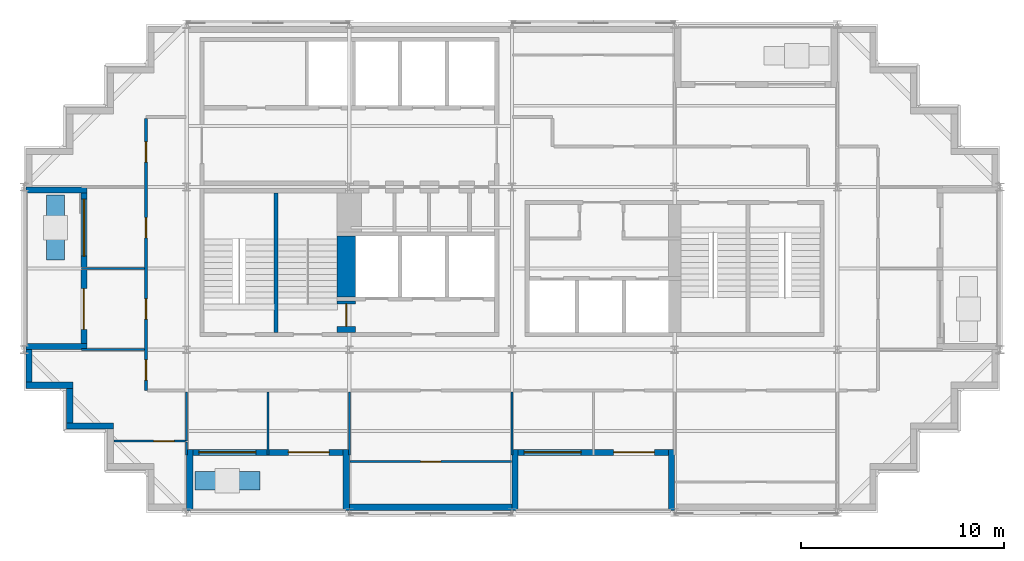
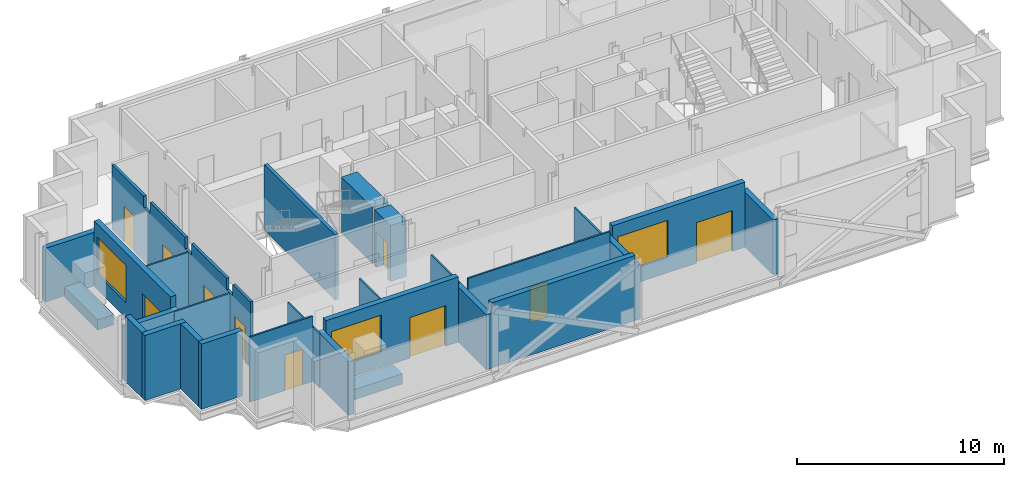
# One storey, part 4 of 10: 29 walls, 10 doors, 3 windows, 13 openings.
"""IFC4 building model written with IfcOpenShell, lengths in metres."""

from ifc_helpers import new_model, si_unit, direction, frame, frame_2d, origin, place, context, subcontext, project, spatial, polyline, rectangle, outline, extrude, material, layer, layer_set, type_object, element, fill, save


model = new_model("IFC4")

# Units and contexts
model_context = context("Model", 3, precision=1e-05, world=origin(), true_north=direction((0.0, 1.0)))
body_context = subcontext(model_context, "Body", "Model", "MODEL_VIEW")
ifc_project = project(units=[si_unit("LENGTHUNIT", "METRE"), si_unit("AREAUNIT", "SQUARE_METRE"), si_unit("VOLUMEUNIT", "CUBIC_METRE"), si_unit("PLANEANGLEUNIT", "RADIAN"), si_unit("MASSUNIT", "GRAM", prefix="KILO")], contexts=[model_context])

# Site, building, storey
site_placement = place(None, origin())
site = spatial("IfcSite", under=ifc_project, at=site_placement, CompositionType="ELEMENT")
building_placement = place(site_placement, origin())
building = spatial("IfcBuilding", under=site, at=building_placement, Name="Immortelle Media Tower", CompositionType="ELEMENT")
storey_placement = place(building_placement, frame((0.0, 0.0, 251.0)))
storey = spatial("IfcBuildingStorey", under=building, at=storey_placement, Name="L54", CompositionType="ELEMENT", Elevation=251.0)

# Wall, openings, doors
ifc_material_1 = material(Name="Fire-rated gypsum board", Category="gypsum")
ifc_layer_1 = layer(ifc_material_1, 0.012451171875)
ifc_material_2 = material(Name="Steel ASTM A653 SS Gr 50 stud frame with mineral wool", Category="steel")
ifc_layer_2 = layer(ifc_material_2, 0.125)
ifc_layer_3 = layer(ifc_material_1, 0.012451171875)
ifc_layer_set_1 = layer_set([ifc_layer_1, ifc_layer_2, ifc_layer_3], Name="Steel ASTM A653 SS Gr 50 stud frame with mineral wool")
wall_type_1 = type_object("IfcWallType", Name="Corridor wall 150", PredefinedType="PARTITIONING", material=ifc_layer_set_1)
wall_1_placement = place(storey_placement, frame((6.0, 6.0, 0.0), z_axis=(0.0, 0.0, 1.0), x_axis=(0.0, 1.0, 0.0)))
wall_1 = element("IfcWall", 1, at=wall_1_placement, inside=storey, type_object=wall_type_1, Name="Partition L54-014", PredefinedType="PARTITIONING", context=body_context, shape_type="SweptSolid", body=[
    extrude(outline(polyline([(0.0, 0.0), (13.375, 0.0), (13.375, 3.85009765625), (10.300048828125, 3.85009765625), (10.298095703125, 3.172119140625), (9.701904296875, 3.172119140625), (9.699951171875, 3.85009765625), (6.300048828125, 3.85009765625), (6.298095703125, 3.172119140625), (5.701904296875, 3.172119140625), (5.699951171875, 3.85009765625), (2.300048828125, 3.85009765625), (2.298095703125, 3.172119140625), (1.701904296875, 3.172119140625), (1.699951171875, 3.85009765625), (0.0, 3.85009765625), (0.0, 0.0)])), frame((0.0, 0.074951171875, 0.0), z_axis=(0.0, -1.0, 0.0), x_axis=(1.0, 0.0, 0.0)), (0.0, 0.0, 1.0), 0.14990234375),
])
opening_1_placement = place(wall_1_placement, frame((0.5, 0.0, 0.0)))
opening_1 = element("IfcOpeningElement", 2, at=opening_1_placement, cuts=wall_1, Name="Opening X1-F009", PredefinedType="OPENING", context=body_context, shape_type="SweptSolid", body=[
    extrude(rectangle(XDim=1.0, YDim=2.10009765625, at=frame_2d((0.5, 1.050048828125))), frame((0.0, 0.0849609375, 0.0), z_axis=(0.0, -1.0, 0.0), x_axis=(1.0, 0.0, 0.0)), (0.0, 0.0, 1.0), 0.169921875),
])
opening_2_placement = place(wall_1_placement, frame((3.5, 0.0, 0.0)))
opening_2 = element("IfcOpeningElement", 3, at=opening_2_placement, cuts=wall_1, Name="Opening X1-F012", PredefinedType="OPENING", context=body_context, shape_type="SweptSolid", body=[
    extrude(rectangle(XDim=1.0, YDim=2.10009765625, at=frame_2d((0.5, 1.050048828125))), frame((0.0, 0.0849609375, 0.0), z_axis=(0.0, -1.0, 0.0), x_axis=(1.0, 0.0, 0.0)), (0.0, 0.0, 1.0), 0.169921875),
])
opening_3_placement = place(wall_1_placement, frame((7.5, 0.0, 0.0)))
opening_3 = element("IfcOpeningElement", 4, at=opening_3_placement, cuts=wall_1, Name="Opening X1-F013", PredefinedType="OPENING", context=body_context, shape_type="SweptSolid", body=[
    extrude(rectangle(XDim=1.0, YDim=2.10009765625, at=frame_2d((0.5, 1.050048828125))), frame((0.0, 0.0849609375, 0.0), z_axis=(0.0, -1.0, 0.0), x_axis=(1.0, 0.0, 0.0)), (0.0, 0.0, 1.0), 0.169921875),
])
opening_4_placement = place(wall_1_placement, frame((11.22509765625, 0.0, 0.0)))
opening_4 = element("IfcOpeningElement", 5, at=opening_4_placement, cuts=wall_1, Name="Opening X1-F016", PredefinedType="OPENING", context=body_context, shape_type="SweptSolid", body=[
    extrude(rectangle(XDim=1.0, YDim=2.10009765625, at=frame_2d((0.5, 1.050048828125))), frame((0.0, 0.0849609375, 0.0), z_axis=(0.0, -1.0, 0.0), x_axis=(1.0, 0.0, 0.0)), (0.0, 0.0, 1.0), 0.169921875),
])
ifc_material_3 = material(Name="Timber veneered door leaf, galvanised steel frame ASTM A653", Category="steel")
door_type_1 = type_object("IfcDoorType", Name="Room door 1000 x 2100", OperationType="NOTDEFINED", PredefinedType="DOOR", material=ifc_material_3)
door_1_placement = place(opening_1_placement, origin())
door_1 = element("IfcDoor", 6, at=door_1_placement, inside=storey, type_object=door_type_1, Name="Door X1-F009", OperationType="SINGLE_SWING_RIGHT", OverallHeight=2.10009765625, OverallWidth=1.0, PredefinedType="DOOR", context=body_context, shape_type="SweptSolid", body=[
    extrude(rectangle(XDim=1.0, YDim=2.10009765625, at=frame_2d((0.5, 1.050048828125))), frame((0.0, 0.02490234375, 0.0), z_axis=(0.0, -1.0, 0.0), x_axis=(1.0, 0.0, 0.0)), (0.0, 0.0, 1.0), 0.050048828125),
])
fill(opening_1, door_1)
door_2_placement = place(opening_2_placement, origin())
door_2 = element("IfcDoor", 7, at=door_2_placement, inside=storey, type_object=door_type_1, Name="Door X1-F012", OperationType="SINGLE_SWING_RIGHT", OverallHeight=2.10009765625, OverallWidth=1.0, PredefinedType="DOOR", context=body_context, shape_type="SweptSolid", body=[
    extrude(rectangle(XDim=1.0, YDim=2.10009765625, at=frame_2d((0.5, 1.050048828125))), frame((0.0, 0.02490234375, 0.0), z_axis=(0.0, -1.0, 0.0), x_axis=(1.0, 0.0, 0.0)), (0.0, 0.0, 1.0), 0.050048828125),
])
fill(opening_2, door_2)
door_3_placement = place(opening_3_placement, origin())
door_3 = element("IfcDoor", 8, at=door_3_placement, inside=storey, type_object=door_type_1, Name="Door X1-F013", OperationType="SINGLE_SWING_RIGHT", OverallHeight=2.10009765625, OverallWidth=1.0, PredefinedType="DOOR", context=body_context, shape_type="SweptSolid", body=[
    extrude(rectangle(XDim=1.0, YDim=2.10009765625, at=frame_2d((0.5, 1.050048828125))), frame((0.0, 0.02490234375, 0.0), z_axis=(0.0, -1.0, 0.0), x_axis=(1.0, 0.0, 0.0)), (0.0, 0.0, 1.0), 0.050048828125),
])
fill(opening_3, door_3)
door_4_placement = place(opening_4_placement, origin())
door_4 = element("IfcDoor", 9, at=door_4_placement, inside=storey, type_object=door_type_1, Name="Door X1-F016", OperationType="SINGLE_SWING_LEFT", OverallHeight=2.10009765625, OverallWidth=1.0, PredefinedType="DOOR", context=body_context, shape_type="SweptSolid", body=[
    extrude(rectangle(XDim=1.0, YDim=2.10009765625, at=frame_2d((0.5, 1.050048828125))), frame((0.0, 0.02490234375, 0.0), z_axis=(0.0, -1.0, 0.0), x_axis=(1.0, 0.0, 0.0)), (0.0, 0.0, 1.0), 0.050048828125),
])
fill(opening_4, door_4)

# Walls
ifc_material_4 = material(Name="Pale aluminium cladding panel", Category="aluminium")
ifc_layer_4 = layer(ifc_material_4, 0.030029296875)
ifc_layer_5 = layer(ifc_material_2, 0.257568359375)
ifc_material_5 = material(Name="Moisture-resistant gypsum board", Category="gypsum")
ifc_layer_6 = layer(ifc_material_5, 0.012451171875)
ifc_layer_set_2 = layer_set([ifc_layer_4, ifc_layer_5, ifc_layer_6], Name="Steel ASTM A653 SS Gr 50 stud frame with mineral wool")
wall_type_2 = type_object("IfcWallType", Name="Facade wall 300", PredefinedType="SOLIDWALL", material=ifc_layer_set_2)
wall_2_placement = place(storey_placement, frame((0.10009765625, 6.25, 0.0), z_axis=(0.0, 0.0, 1.0), x_axis=(1.0, 0.0, 0.0)))
element("IfcWall", 10, at=wall_2_placement, inside=storey, type_object=wall_type_2, Name="Facade wall L54 S0", PredefinedType="SOLIDWALL", context=body_context, shape_type="SweptSolid", body=[
    extrude(rectangle(XDim=2.2998046875, YDim=0.300048828125, at=frame_2d((1.14990234375, 0.0))), origin(), (0.0, 0.0, 1.0), 3.85009765625),
])
wall_3_placement = place(storey_placement, frame((2.25, 6.10009765625, 0.0), z_axis=(0.0, 0.0, 1.0), x_axis=(0.0, -1.0, 0.0)))
element("IfcWall", 11, at=wall_3_placement, inside=storey, type_object=wall_type_2, Name="Facade wall L54 W1", PredefinedType="SOLIDWALL", context=body_context, shape_type="SweptSolid", body=[
    extrude(rectangle(XDim=1.7001953125, YDim=0.300048828125, at=frame_2d((0.85009765625, 0.0))), origin(), (0.0, 0.0, 1.0), 3.85009765625),
])
wall_4_placement = place(storey_placement, frame((2.10009765625, 4.25, 0.0), z_axis=(0.0, 0.0, 1.0), x_axis=(1.0, 0.0, 0.0)))
element("IfcWall", 12, at=wall_4_placement, inside=storey, type_object=wall_type_2, Name="Facade wall L54 S2", PredefinedType="SOLIDWALL", context=body_context, shape_type="SweptSolid", body=[
    extrude(rectangle(XDim=2.2998046875, YDim=0.300048828125, at=frame_2d((1.14990234375, 0.0))), origin(), (0.0, 0.0, 1.0), 3.85009765625),
])

# Wall, openings, door, window
wall_5_placement = place(storey_placement, frame((8.300048828125, 2.949951171875, 0.0), z_axis=(0.0, 0.0, 1.0), x_axis=(1.0, 0.0, 0.0)))
wall_5 = element("IfcWall", 13, at=wall_5_placement, inside=storey, type_object=wall_type_2, Name="Loggia wall L54 S6", PredefinedType="SOLIDWALL", context=body_context, shape_type="SweptSolid", body=[
    extrude(rectangle(XDim=7.39990234375, YDim=0.300048828125, at=frame_2d((3.699951171875, 0.0))), origin(), (0.0, 0.0, 1.0), 3.85009765625),
])
opening_5_placement = place(wall_5_placement, frame((0.300048828125, 0.0, 0.89990234375)))
opening_5 = element("IfcOpeningElement", 14, at=opening_5_placement, cuts=wall_5, Name="Opening W1", PredefinedType="OPENING", context=body_context, shape_type="SweptSolid", body=[
    extrude(rectangle(XDim=2.800048828125, YDim=2.199951171875, at=frame_2d((1.39990234375, 1.10009765625))), frame((0.0, 0.159912109375, 0.0), z_axis=(0.0, -1.0, 0.0), x_axis=(1.0, 0.0, 0.0)), (0.0, 0.0, 1.0), 0.320068359375),
])
opening_6_placement = place(wall_5_placement, frame((4.699951171875, 0.0, 0.0)))
opening_6 = element("IfcOpeningElement", 15, at=opening_6_placement, cuts=wall_5, Name="Opening X1-E001", PredefinedType="OPENING", context=body_context, shape_type="SweptSolid", body=[
    extrude(rectangle(XDim=2.0, YDim=2.39990234375, at=frame_2d((1.0, 1.199951171875))), frame((0.0, 0.159912109375, 0.0), z_axis=(0.0, -1.0, 0.0), x_axis=(1.0, 0.0, 0.0)), (0.0, 0.0, 1.0), 0.320068359375),
])
ifc_material_6 = material(Name="Aluminium frame, glazed leaves", Category="aluminium")
door_type_2 = type_object("IfcDoorType", Name="Loggia door 2000 x 2400", OperationType="DOUBLE_DOOR_SINGLE_SWING", PredefinedType="DOOR", material=ifc_material_6)
door_5_placement = place(opening_6_placement, origin())
door_5 = element("IfcDoor", 16, at=door_5_placement, inside=storey, type_object=door_type_2, Name="Door X1-E001", OperationType="DOUBLE_DOOR_SINGLE_SWING", OverallHeight=2.39990234375, OverallWidth=2.0, PredefinedType="DOOR", context=body_context, shape_type="SweptSolid", body=[
    extrude(rectangle(XDim=2.0, YDim=2.39990234375, at=frame_2d((1.0, 1.199951171875))), frame((0.0, 0.02490234375, 0.0), z_axis=(0.0, -1.0, 0.0), x_axis=(1.0, 0.0, 0.0)), (0.0, 0.0, 1.0), 0.050048828125),
])
fill(opening_6, door_5)
ifc_material_7 = material(Name="Aluminium frame", Category="aluminium")
window_type = type_object("IfcWindowType", Name="Window 2800 x 2200", PartitioningType="SINGLE_PANEL", PredefinedType="WINDOW", material=ifc_material_7)
window_1_placement = place(opening_5_placement, origin())
window_1 = element("IfcWindow", 17, at=window_1_placement, inside=storey, type_object=window_type, Name="Window L54 L54-R6-B0", OverallHeight=2.199951171875, OverallWidth=2.800048828125, PartitioningType="SINGLE_PANEL", PredefinedType="WINDOW", context=body_context, shape_type="SweptSolid", body=[
    extrude(rectangle(XDim=2.800048828125, YDim=2.199951171875, at=frame_2d((1.39990234375, 1.10009765625))), frame((0.0, 0.030029296875, 0.0), z_axis=(0.0, -1.0, 0.0), x_axis=(1.0, 0.0, 0.0)), (0.0, 0.0, 1.0), 0.06005859375),
])
fill(opening_5, window_1)

# Walls
wall_6_placement = place(storey_placement, frame((8.14990234375, 0.10009765625, 0.0), z_axis=(0.0, 0.0, 1.0), x_axis=(0.0, 1.0, 0.0)))
element("IfcWall", 18, at=wall_6_placement, inside=storey, type_object=wall_type_2, Name="Loggia cheek wall L54 S", PredefinedType="SOLIDWALL", context=body_context, shape_type="SweptSolid", body=[
    extrude(rectangle(XDim=3.0, YDim=0.300048828125, at=frame_2d((1.5, 0.0))), origin(), (0.0, 0.0, 1.0), 3.1708984375),
])
wall_7_placement = place(storey_placement, frame((15.85009765625, 0.10009765625, 0.0), z_axis=(0.0, 0.0, 1.0), x_axis=(0.0, 1.0, 0.0)))
element("IfcWall", 19, at=wall_7_placement, inside=storey, type_object=wall_type_2, Name="Loggia cheek wall L54 S", PredefinedType="SOLIDWALL", context=body_context, shape_type="SweptSolid", body=[
    extrude(rectangle(XDim=3.0, YDim=0.300048828125, at=frame_2d((1.5, 0.0))), origin(), (0.0, 0.0, 1.0), 3.237060546875),
])
wall_8_placement = place(storey_placement, frame((16.0, 0.25, 0.0), z_axis=(0.0, 0.0, 1.0), x_axis=(1.0, 0.0, 0.0)))
element("IfcWall", 20, at=wall_8_placement, inside=storey, type_object=wall_type_2, Name="Facade wall L54 S6", PredefinedType="SOLIDWALL", context=body_context, shape_type="SweptSolid", body=[
    extrude(rectangle(XDim=8.0, YDim=0.300048828125, at=frame_2d((4.0, 0.0))), origin(), (0.0, 0.0, 1.0), 3.85009765625),
])

# Wall, openings, door, window
wall_9_placement = place(storey_placement, frame((24.300048828125, 2.949951171875, 0.0), z_axis=(0.0, 0.0, 1.0), x_axis=(1.0, 0.0, 0.0)))
wall_9 = element("IfcWall", 21, at=wall_9_placement, inside=storey, type_object=wall_type_2, Name="Loggia wall L54 S6", PredefinedType="SOLIDWALL", context=body_context, shape_type="SweptSolid", body=[
    extrude(rectangle(XDim=7.39990234375, YDim=0.300048828125, at=frame_2d((3.699951171875, 0.0))), origin(), (0.0, 0.0, 1.0), 3.85009765625),
])
opening_7_placement = place(wall_9_placement, frame((0.300048828125, 0.0, 0.89990234375)))
opening_7 = element("IfcOpeningElement", 22, at=opening_7_placement, cuts=wall_9, Name="Opening W1", PredefinedType="OPENING", context=body_context, shape_type="SweptSolid", body=[
    extrude(rectangle(XDim=2.800048828125, YDim=2.199951171875, at=frame_2d((1.39990234375, 1.10009765625))), frame((0.0, 0.159912109375, 0.0), z_axis=(0.0, -1.0, 0.0), x_axis=(1.0, 0.0, 0.0)), (0.0, 0.0, 1.0), 0.320068359375),
])
opening_8_placement = place(wall_9_placement, frame((4.699951171875, 0.0, 0.0)))
opening_8 = element("IfcOpeningElement", 23, at=opening_8_placement, cuts=wall_9, Name="Opening X1-E002", PredefinedType="OPENING", context=body_context, shape_type="SweptSolid", body=[
    extrude(rectangle(XDim=2.0, YDim=2.39990234375, at=frame_2d((1.0, 1.199951171875))), frame((0.0, 0.159912109375, 0.0), z_axis=(0.0, -1.0, 0.0), x_axis=(1.0, 0.0, 0.0)), (0.0, 0.0, 1.0), 0.320068359375),
])
door_6_placement = place(opening_8_placement, origin())
door_6 = element("IfcDoor", 24, at=door_6_placement, inside=storey, type_object=door_type_2, Name="Door X1-E002", OperationType="DOUBLE_DOOR_SINGLE_SWING", OverallHeight=2.39990234375, OverallWidth=2.0, PredefinedType="DOOR", context=body_context, shape_type="SweptSolid", body=[
    extrude(rectangle(XDim=2.0, YDim=2.39990234375, at=frame_2d((1.0, 1.199951171875))), frame((0.0, 0.02490234375, 0.0), z_axis=(0.0, -1.0, 0.0), x_axis=(1.0, 0.0, 0.0)), (0.0, 0.0, 1.0), 0.050048828125),
])
fill(opening_8, door_6)
window_2_placement = place(opening_7_placement, origin())
window_2 = element("IfcWindow", 25, at=window_2_placement, inside=storey, type_object=window_type, Name="Window L54 L54-R6-B2", OverallHeight=2.199951171875, OverallWidth=2.800048828125, PartitioningType="SINGLE_PANEL", PredefinedType="WINDOW", context=body_context, shape_type="SweptSolid", body=[
    extrude(rectangle(XDim=2.800048828125, YDim=2.199951171875, at=frame_2d((1.39990234375, 1.10009765625))), frame((0.0, 0.030029296875, 0.0), z_axis=(0.0, -1.0, 0.0), x_axis=(1.0, 0.0, 0.0)), (0.0, 0.0, 1.0), 0.06005859375),
])
fill(opening_7, window_2)

# Walls
for number, where, z_axis, x_axis, name in (
    (26, (24.14990234375, 0.10009765625, 0.0), (0.0, 0.0, 1.0), (0.0, 1.0, 0.0), "Loggia cheek wall L54 S"),
    (27, (31.85009765625, 0.10009765625, 0.0), (0.0, 0.0, 1.0), (0.0, 1.0, 0.0), "Loggia cheek wall L54 S"),
):
    element("IfcWall", number, at=place(storey_placement, frame(where, z_axis=z_axis, x_axis=x_axis)), inside=storey, type_object=wall_type_2, Name=name, PredefinedType="SOLIDWALL", context=body_context, shape_type="SweptSolid", body=[
        extrude(rectangle(XDim=3.0, YDim=0.300048828125, at=frame_2d((1.5, 0.0))), origin(), (0.0, 0.0, 1.0), 3.237060546875),
    ])

# Wall, openings, door, window
wall_10_placement = place(storey_placement, frame((2.949951171875, 15.699951171875, 0.0), z_axis=(0.0, 0.0, 1.0), x_axis=(0.0, -1.0, 0.0)))
wall_10 = element("IfcWall", 28, at=wall_10_placement, inside=storey, type_object=wall_type_2, Name="Loggia wall L54 W27", PredefinedType="SOLIDWALL", context=body_context, shape_type="SweptSolid", body=[
    extrude(rectangle(XDim=7.39990234375, YDim=0.300048828125, at=frame_2d((3.699951171875, 0.0))), origin(), (0.0, 0.0, 1.0), 3.85009765625),
])
opening_9_placement = place(wall_10_placement, frame((0.300048828125, 0.0, 0.89990234375)))
opening_9 = element("IfcOpeningElement", 29, at=opening_9_placement, cuts=wall_10, Name="Opening W1", PredefinedType="OPENING", context=body_context, shape_type="SweptSolid", body=[
    extrude(rectangle(XDim=2.800048828125, YDim=2.199951171875, at=frame_2d((1.39990234375, 1.10009765625))), frame((0.0, 0.159912109375, 0.0), z_axis=(0.0, -1.0, 0.0), x_axis=(1.0, 0.0, 0.0)), (0.0, 0.0, 1.0), 0.320068359375),
])
opening_10_placement = place(wall_10_placement, frame((4.699951171875, 0.0, 0.0)))
opening_10 = element("IfcOpeningElement", 30, at=opening_10_placement, cuts=wall_10, Name="Opening X1-E006", PredefinedType="OPENING", context=body_context, shape_type="SweptSolid", body=[
    extrude(rectangle(XDim=2.0, YDim=2.39990234375, at=frame_2d((1.0, 1.199951171875))), frame((0.0, 0.159912109375, 0.0), z_axis=(0.0, -1.0, 0.0), x_axis=(1.0, 0.0, 0.0)), (0.0, 0.0, 1.0), 0.320068359375),
])
door_7_placement = place(opening_10_placement, origin())
door_7 = element("IfcDoor", 31, at=door_7_placement, inside=storey, type_object=door_type_2, Name="Door X1-E006", OperationType="DOUBLE_DOOR_SINGLE_SWING", OverallHeight=2.39990234375, OverallWidth=2.0, PredefinedType="DOOR", context=body_context, shape_type="SweptSolid", body=[
    extrude(rectangle(XDim=2.0, YDim=2.39990234375, at=frame_2d((1.0, 1.199951171875))), frame((0.0, 0.02490234375, 0.0), z_axis=(0.0, -1.0, 0.0), x_axis=(1.0, 0.0, 0.0)), (0.0, 0.0, 1.0), 0.050048828125),
])
fill(opening_10, door_7)
window_3_placement = place(opening_9_placement, origin())
window_3 = element("IfcWindow", 32, at=window_3_placement, inside=storey, type_object=window_type, Name="Window L54 L54-R27-B0", OverallHeight=2.199951171875, OverallWidth=2.800048828125, PartitioningType="SINGLE_PANEL", PredefinedType="WINDOW", context=body_context, shape_type="SweptSolid", body=[
    extrude(rectangle(XDim=2.800048828125, YDim=2.199951171875, at=frame_2d((1.39990234375, 1.10009765625))), frame((0.0, 0.030029296875, 0.0), z_axis=(0.0, -1.0, 0.0), x_axis=(1.0, 0.0, 0.0)), (0.0, 0.0, 1.0), 0.06005859375),
])
fill(opening_9, window_3)

# Walls
for number, where, z_axis, x_axis, name in (
    (33, (0.10009765625, 15.85009765625, 0.0), (0.0, 0.0, 1.0), (1.0, 0.0, 0.0), "Loggia cheek wall L54 W"),
    (34, (0.10009765625, 8.14990234375, 0.0), (0.0, 0.0, 1.0), (1.0, 0.0, 0.0), "Loggia cheek wall L54 W"),
):
    element("IfcWall", number, at=place(storey_placement, frame(where, z_axis=z_axis, x_axis=x_axis)), inside=storey, type_object=wall_type_2, Name=name, PredefinedType="SOLIDWALL", context=body_context, shape_type="SweptSolid", body=[
        extrude(rectangle(XDim=3.0, YDim=0.300048828125, at=frame_2d((1.5, 0.0))), origin(), (0.0, 0.0, 1.0), 3.1708984375),
    ])
wall_11_placement = place(storey_placement, frame((0.25, 8.0, 0.0), z_axis=(0.0, 0.0, 1.0), x_axis=(0.0, -1.0, 0.0)))
element("IfcWall", 35, at=wall_11_placement, inside=storey, type_object=wall_type_2, Name="Facade wall L54 W27", PredefinedType="SOLIDWALL", context=body_context, shape_type="SweptSolid", body=[
    extrude(rectangle(XDim=1.60009765625, YDim=0.300048828125, at=frame_2d((0.800048828125, 0.0))), origin(), (0.0, 0.0, 1.0), 3.85009765625),
])

# Wall, opening, door
ifc_material_8 = material(Name="Gypsum board", Category="gypsum")
ifc_layer_7 = layer(ifc_material_8, 0.012451171875)
ifc_layer_8 = layer(ifc_material_2, 0.074951171875)
ifc_layer_9 = layer(ifc_material_8, 0.012451171875)
ifc_layer_set_3 = layer_set([ifc_layer_7, ifc_layer_8, ifc_layer_9], Name="Steel ASTM A653 SS Gr 50 stud frame with mineral wool")
wall_type_3 = type_object("IfcWallType", Name="Partition 100", PredefinedType="PARTITIONING", material=ifc_layer_set_3)
wall_12_placement = place(storey_placement, frame((16.030029296875, 2.5, 0.0), z_axis=(0.0, 0.0, 1.0), x_axis=(1.0, 0.0, 0.0)))
wall_12 = element("IfcWall", 36, at=wall_12_placement, inside=storey, type_object=wall_type_3, Name="Partition L54-004", PredefinedType="PARTITIONING", context=body_context, shape_type="SweptSolid", body=[
    extrude(rectangle(XDim=7.93994140625, YDim=0.10009765625, at=frame_2d((3.969970703125, 0.0))), origin(), (0.0, 0.0, 1.0), 3.85009765625),
])
opening_11_placement = place(wall_12_placement, frame((3.469970703125, 0.0, 0.0)))
opening_11 = element("IfcOpeningElement", 37, at=opening_11_placement, cuts=wall_12, Name="Opening X1-F002", PredefinedType="OPENING", context=body_context, shape_type="SweptSolid", body=[
    extrude(rectangle(XDim=1.0, YDim=2.10009765625, at=frame_2d((0.5, 1.050048828125))), frame((0.0, 0.06005859375, 0.0), z_axis=(0.0, -1.0, 0.0), x_axis=(1.0, 0.0, 0.0)), (0.0, 0.0, 1.0), 0.1201171875),
])
door_8_placement = place(opening_11_placement, origin())
door_8 = element("IfcDoor", 38, at=door_8_placement, inside=storey, type_object=door_type_1, Name="Door X1-F002", OperationType="SINGLE_SWING_RIGHT", OverallHeight=2.10009765625, OverallWidth=1.0, PredefinedType="DOOR", context=body_context, shape_type="SweptSolid", body=[
    extrude(rectangle(XDim=1.0, YDim=2.10009765625, at=frame_2d((0.5, 1.050048828125))), frame((0.0, 0.02490234375, 0.0), z_axis=(0.0, -1.0, 0.0), x_axis=(1.0, 0.0, 0.0)), (0.0, 0.0, 1.0), 0.050048828125),
])
fill(opening_11, door_8)

# Walls
wall_13_placement = place(storey_placement, frame((8.0, 2.830078125, 0.0), z_axis=(0.0, 0.0, 1.0), x_axis=(0.0, 1.0, 0.0)))
element("IfcWall", 39, at=wall_13_placement, inside=storey, type_object=wall_type_3, Name="Partition L54-005", PredefinedType="PARTITIONING", context=body_context, shape_type="SweptSolid", body=[
    extrude(rectangle(XDim=0.619873046875, YDim=0.10009765625, at=frame_2d((0.31005859375, 0.0))), origin(), (0.0, 0.0, 1.0), 3.172119140625),
])
for number, where, z_axis, x_axis, name in (
    (40, (12.0, 2.830078125, 0.0), (0.0, 0.0, 1.0), (0.0, 1.0, 0.0), "Partition L54-006"),
    (41, (16.0, 2.830078125, 0.0), (0.0, 0.0, 1.0), (0.0, 1.0, 0.0), "Partition L54-007"),
    (42, (24.0, 2.830078125, 0.0), (0.0, 0.0, 1.0), (0.0, 1.0, 0.0), "Partition L54-008"),
):
    element("IfcWall", number, at=place(storey_placement, frame(where, z_axis=z_axis, x_axis=x_axis)), inside=storey, type_object=wall_type_3, Name=name, PredefinedType="PARTITIONING", context=body_context, shape_type="SweptSolid", body=[
        extrude(rectangle(XDim=3.094970703125, YDim=0.10009765625, at=frame_2d((1.54736328125, 0.0))), origin(), (0.0, 0.0, 1.0), 3.172119140625),
    ])

# Wall, opening, door
wall_14_placement = place(storey_placement, frame((4.429931640625, 3.5, 0.0), z_axis=(0.0, 0.0, 1.0), x_axis=(1.0, 0.0, 0.0)))
wall_14 = element("IfcWall", 43, at=wall_14_placement, inside=storey, type_object=wall_type_3, Name="Partition L54-011", PredefinedType="PARTITIONING", context=body_context, shape_type="SweptSolid", body=[
    extrude(rectangle(XDim=3.52001953125, YDim=0.10009765625, at=frame_2d((1.760009765625, 0.0))), origin(), (0.0, 0.0, 1.0), 3.85009765625),
])
opening_12_placement = place(wall_14_placement, frame((2.949951171875, 0.0, 0.0), z_axis=(0.0, 0.0, 1.0), x_axis=(-1.0, 0.0, 0.0)))
opening_12 = element("IfcOpeningElement", 44, at=opening_12_placement, cuts=wall_14, Name="Opening X1-F010", PredefinedType="OPENING", context=body_context, shape_type="SweptSolid", body=[
    extrude(rectangle(XDim=1.0, YDim=2.10009765625, at=frame_2d((0.5, 1.050048828125))), frame((0.0, 0.06005859375, 0.0), z_axis=(0.0, -1.0, 0.0), x_axis=(1.0, 0.0, 0.0)), (0.0, 0.0, 1.0), 0.1201171875),
])
door_9_placement = place(opening_12_placement, origin())
door_9 = element("IfcDoor", 45, at=door_9_placement, inside=storey, type_object=door_type_1, Name="Door X1-F010", OperationType="SINGLE_SWING_LEFT", OverallHeight=2.10009765625, OverallWidth=1.0, PredefinedType="DOOR", context=body_context, shape_type="SweptSolid", body=[
    extrude(rectangle(XDim=1.0, YDim=2.10009765625, at=frame_2d((0.5, 1.050048828125))), frame((0.0, 0.02490234375, 0.0), z_axis=(0.0, -1.0, 0.0), x_axis=(1.0, 0.0, 0.0)), (0.0, 0.0, 1.0), 0.050048828125),
])
fill(opening_12, door_9)

# Walls
wall_15_placement = place(storey_placement, frame((8.0, 3.5, 0.0), z_axis=(0.0, 0.0, 1.0), x_axis=(0.0, 1.0, 0.0)))
element("IfcWall", 46, at=wall_15_placement, inside=storey, type_object=wall_type_3, Name="Partition L54-012", PredefinedType="PARTITIONING", context=body_context, shape_type="SweptSolid", body=[
    extrude(rectangle(XDim=2.425048828125, YDim=0.10009765625, at=frame_2d((1.21240234375, 0.0))), origin(), (0.0, 0.0, 1.0), 3.172119140625),
])
for number, where, z_axis, x_axis, name in (
    (47, (2.830078125, 8.0, 0.0), (0.0, 0.0, 1.0), (1.0, 0.0, 0.0), "Partition L54-016"),
    (48, (2.830078125, 12.0, 0.0), (0.0, 0.0, 1.0), (1.0, 0.0, 0.0), "Partition L54-018"),
):
    element("IfcWall", number, at=place(storey_placement, frame(where, z_axis=z_axis, x_axis=x_axis)), inside=storey, type_object=wall_type_3, Name=name, PredefinedType="PARTITIONING", context=body_context, shape_type="SweptSolid", body=[
        extrude(rectangle(XDim=3.094970703125, YDim=0.10009765625, at=frame_2d((1.54736328125, 0.0))), origin(), (0.0, 0.0, 1.0), 3.172119140625),
    ])
ifc_layer_10 = layer(ifc_material_4, 0.0029296875)
ifc_material_9 = material(Name="Steel ASTM A572 Gr 50 planter shell", Category="steel")
ifc_layer_11 = layer(ifc_material_9, 0.011962890625)
ifc_material_10 = material(Name="Planting substrate", Category="soil")
ifc_layer_12 = layer(ifc_material_10, 0.873046875)
ifc_layer_13 = layer(ifc_material_9, 0.011962890625)
ifc_layer_set_4 = layer_set([ifc_layer_10, ifc_layer_11, ifc_layer_12, ifc_layer_13], Name="Steel ASTM A572 Gr 50 planter shell")
wall_type_4 = type_object("IfcWallType", Name="Planter wall 900", PredefinedType="SOLIDWALL", material=ifc_layer_set_4)
for number, where, z_axis, x_axis, name in (
    (49, (8.39990234375, 1.550048828125, 0.0), (0.0, 0.0, 1.0), (1.0, 0.0, 0.0), "Planter L54 S0"),
    (50, (1.550048828125, 15.60009765625, 0.0), (0.0, 0.0, 1.0), (0.0, -1.0, 0.0), "Planter L54 W0"),
):
    element("IfcWall", number, at=place(storey_placement, frame(where, z_axis=z_axis, x_axis=x_axis)), inside=storey, type_object=wall_type_4, Name=name, PredefinedType="SOLIDWALL", context=body_context, shape_type="SweptSolid", body=[
        extrude(rectangle(XDim=3.2001953125, YDim=0.89990234375, at=frame_2d((1.60009765625, 0.0))), origin(), (0.0, 0.0, 1.0), 0.60009765625),
    ])
ifc_material_11 = material(Name="Concrete C60", Category="concrete")
ifc_layer_14 = layer(ifc_material_11, 0.199951171875)
ifc_layer_set_5 = layer_set([ifc_layer_14], Name="Concrete C60")
wall_type_5 = type_object("IfcWallType", Name="Stair shaft wall 200", PredefinedType="PARTITIONING", material=ifc_layer_set_5)
wall_16_placement = place(storey_placement, frame((12.39990234375, 8.85009765625, 0.0), z_axis=(0.0, 0.0, 1.0), x_axis=(0.0, 1.0, 0.0)))
element("IfcWall", 51, at=wall_16_placement, inside=storey, type_object=wall_type_5, Name="Stair shaft wall SW", PredefinedType="PARTITIONING", context=body_context, shape_type="SweptSolid", body=[
    extrude(rectangle(XDim=6.849853515625, YDim=0.199951171875, at=frame_2d((3.4248046875, 0.0))), origin(), (0.0, 0.0, 1.0), 3.85009765625),
])

# Wall, opening, door
ifc_layer_15 = layer(ifc_material_11, 0.89990234375)
ifc_layer_set_6 = layer_set([ifc_layer_15], Name="Concrete C60")
wall_type_6 = type_object("IfcWallType", Name="Stair shaft wall 900", PredefinedType="PARTITIONING", material=ifc_layer_set_6)
wall_17_placement = place(storey_placement, frame((15.85009765625, 8.85009765625, 0.0), z_axis=(0.0, 0.0, 1.0), x_axis=(0.0, 1.0, 0.0)))
wall_17 = element("IfcWall", 52, at=wall_17_placement, inside=storey, type_object=wall_type_6, Name="Stair shaft wall SW", PredefinedType="PARTITIONING", context=body_context, shape_type="SweptSolid", body=[
    extrude(rectangle(XDim=1.5498046875, YDim=0.89990234375, at=frame_2d((0.77490234375, 0.0))), origin(), (0.0, 0.0, 1.0), 3.30810546875),
])
opening_13_placement = place(wall_17_placement, frame((0.300048828125, 0.0, 0.0)))
opening_13 = element("IfcOpeningElement", 53, at=opening_13_placement, cuts=wall_17, Name="Opening X1-K006", PredefinedType="OPENING", context=body_context, shape_type="SweptSolid", body=[
    extrude(rectangle(XDim=1.10009765625, YDim=2.10009765625, at=frame_2d((0.550048828125, 1.050048828125))), frame((0.0, 0.4599609375, 0.0), z_axis=(0.0, -1.0, 0.0), x_axis=(1.0, 0.0, 0.0)), (0.0, 0.0, 1.0), 0.919921875),
])
ifc_material_12 = material(Name="Galvanised steel door leaf and frame ASTM A653", Category="steel")
door_type_3 = type_object("IfcDoorType", Name="Stair lobby door 1100 x 2100", OperationType="NOTDEFINED", PredefinedType="NOTDEFINED", material=ifc_material_12)
door_10_placement = place(opening_13_placement, origin())
door_10 = element("IfcDoor", 54, at=door_10_placement, inside=storey, type_object=door_type_3, Name="Stair lobby X1-K006", OperationType="SINGLE_SWING_LEFT", OverallHeight=2.10009765625, OverallWidth=1.10009765625, PredefinedType="NOTDEFINED", context=body_context, shape_type="SweptSolid", body=[
    extrude(rectangle(XDim=1.10009765625, YDim=2.10009765625, at=frame_2d((0.550048828125, 1.050048828125))), frame((0.0, 0.02490234375, 0.0), z_axis=(0.0, -1.0, 0.0), x_axis=(1.0, 0.0, 0.0)), (0.0, 0.0, 1.0), 0.050048828125),
])
fill(opening_13, door_10)

# Wall
wall_18_placement = place(storey_placement, frame((15.85009765625, 10.60009765625, 0.0), z_axis=(0.0, 0.0, 1.0), x_axis=(0.0, 1.0, 0.0)))
element("IfcWall", 55, at=wall_18_placement, inside=storey, type_object=wall_type_6, Name="Stair shaft wall SW", PredefinedType="PARTITIONING", context=body_context, shape_type="SweptSolid", body=[
    extrude(rectangle(XDim=3.0, YDim=0.89990234375, at=frame_2d((1.5, 0.0))), origin(), (0.0, 0.0, 1.0), 3.30810546875),
])

save(model, "model.ifc")
